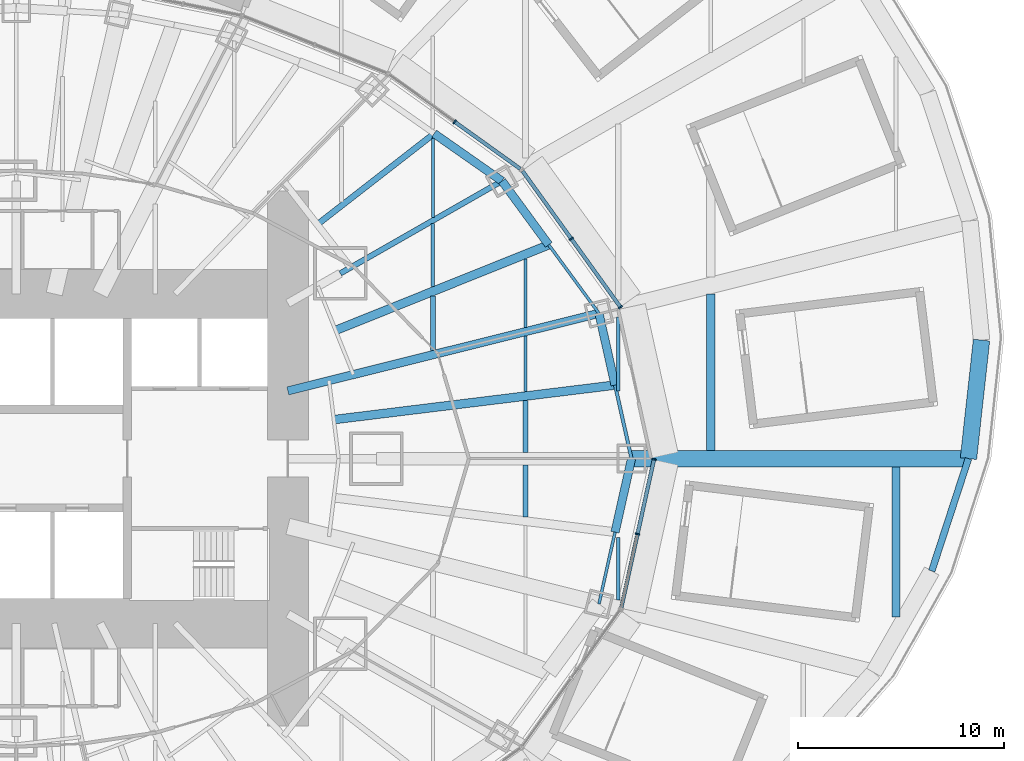
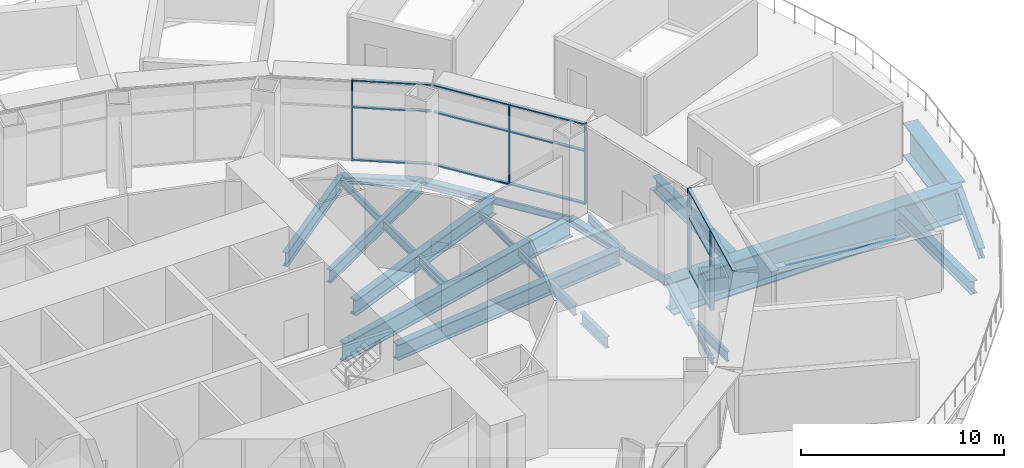
# One storey, part 11 of 25: 26 beams, 18 members, 3 elements without a shape of their own.
"""IFC4 building model written with IfcOpenShell, lengths in metres."""

from ifc_helpers import new_model, si_unit, direction, frame, origin, origin_2d, place, context, subcontext, project, spatial, rectangle, i_section, extrude, material, material_profile, profile_set, type_object, element, aggregate, save


model = new_model("IFC4")

# Units and contexts
model_context = context("Model", 3, precision=1e-05, world=origin(), true_north=direction((0.0, 1.0)))
body_context = subcontext(model_context, "Body", "Model", "MODEL_VIEW")
ifc_project = project(units=[si_unit("LENGTHUNIT", "METRE"), si_unit("AREAUNIT", "SQUARE_METRE"), si_unit("VOLUMEUNIT", "CUBIC_METRE"), si_unit("PLANEANGLEUNIT", "RADIAN"), si_unit("MASSUNIT", "GRAM", prefix="KILO")], contexts=[model_context])

# Site, building, storey
site_placement = place(None, origin())
site = spatial("IfcSite", under=ifc_project, at=site_placement, CompositionType="ELEMENT")
building_placement = place(site_placement, origin())
building = spatial("IfcBuilding", under=site, at=building_placement, Name="Lantaw Convention Tower", CompositionType="ELEMENT")
storey_placement = place(building_placement, frame((0.0, 0.0, 32.0)))
storey = spatial("IfcBuildingStorey", under=building, at=storey_placement, Name="L05", CompositionType="ELEMENT", Elevation=32.0)

# Beams
ifc_material_1 = material(Name="Steel ASTM A572 Grade 50", Category="steel")
ifc_material_profile_1 = material_profile(ifc_material_1, i_section(OverallWidth=0.800048828125, OverallDepth=2.0, WebThickness=0.030029296875, FlangeThickness=0.080078125, at=origin_2d()), Name="PG2000X800X30X80")
ifc_profile_set_1 = profile_set([ifc_material_profile_1], Name="Steel ASTM A572 Grade 50")
beam_type_1 = type_object("IfcBeamType", Name="Beam E PG2000X800X30X80", PredefinedType="SPANDREL", material=ifc_profile_set_1)
beam_1_placement = place(storey_placement, frame((46.2724609375, 0.0, -1.199951171875), z_axis=(0.109673093737, 0.993967712006, 0.0), x_axis=(-0.993967712006, 0.109673093737, 0.0)))
element("IfcBeam", 1, at=beam_1_placement, inside=storey, type_object=beam_type_1, Name="Podium edge beam R00", PredefinedType="SPANDREL", context=body_context, shape_type="SweptSolid", body=[
    extrude(i_section(OverallWidth=0.800048828125, OverallDepth=2.0, WebThickness=0.030029296875, FlangeThickness=0.080078125, at=origin_2d()), origin(), (0.0, 0.0, 1.0), 5.79443359375),
])
ifc_material_2 = material(Name="Steel ASTM A992", Category="steel")
ifc_material_profile_2 = material_profile(ifc_material_2, i_section(OverallWidth=0.40380859375, OverallDepth=0.406494140625, WebThickness=0.027099609375, FlangeThickness=0.043701171875, FilletRadius=0.01513671875, at=origin_2d()), Name="W14X233")
ifc_profile_set_2 = profile_set([ifc_material_profile_2], Name="Steel ASTM A992")
beam_type_2 = type_object("IfcBeamType", Name="Beam E W14X233", PredefinedType="SPANDREL", material=ifc_profile_set_2)
beam_2_placement = place(storey_placement, frame((29.099365234375, 3.572998046875, -0.4033203125), z_axis=(-0.218673326171, 0.97579812278, 0.0), x_axis=(-0.97579812278, -0.218673326171, 0.0)))
element("IfcBeam", 2, at=beam_2_placement, inside=storey, type_object=beam_type_2, Name="Edge beam 1", PredefinedType="SPANDREL", context=body_context, shape_type="SweptSolid", body=[
    extrude(i_section(OverallWidth=0.40380859375, OverallDepth=0.406494140625, WebThickness=0.027099609375, FlangeThickness=0.043701171875, FilletRadius=0.01513671875, at=origin_2d()), origin(), (0.0, 0.0, 1.0), 3.57373046875),
])
beam_3_placement = place(storey_placement, frame((25.8779296875, 10.388427734375, -0.4033203125), z_axis=(-0.591286566758, 0.806461527893, 0.0), x_axis=(-0.806461527893, -0.591286566758, 0.0)))
element("IfcBeam", 3, at=beam_3_placement, inside=storey, type_object=beam_type_2, Name="Edge beam 2", PredefinedType="SPANDREL", context=body_context, shape_type="SweptSolid", body=[
    extrude(i_section(OverallWidth=0.40380859375, OverallDepth=0.406494140625, WebThickness=0.027099609375, FlangeThickness=0.043701171875, FilletRadius=0.01513671875, at=origin_2d()), origin(), (0.0, 0.0, 1.0), 3.843994140625),
])
beam_4_placement = place(storey_placement, frame((23.60498046875, 13.488525390625, -0.4033203125), z_axis=(-0.819442856133, 0.573160889744, 0.0), x_axis=(-0.573160889744, -0.819442856133, 0.0)))
element("IfcBeam", 4, at=beam_4_placement, inside=storey, type_object=beam_type_2, Name="Edge beam 3", PredefinedType="SPANDREL", context=body_context, shape_type="SweptSolid", body=[
    extrude(i_section(OverallWidth=0.40380859375, OverallDepth=0.406494140625, WebThickness=0.027099609375, FlangeThickness=0.043701171875, FilletRadius=0.01513671875, at=origin_2d()), origin(), (0.0, 0.0, 1.0), 4.022705078125),
])
beam_5_placement = place(storey_placement, frame((29.099365234375, -3.572998046875, -0.4033203125), z_axis=(0.218631550323, 0.975807483679, 0.0), x_axis=(-0.975807483679, 0.218631550323, 0.0)))
element("IfcBeam", 5, at=beam_5_placement, inside=storey, type_object=beam_type_2, Name="Edge beam 24", PredefinedType="SPANDREL", context=body_context, shape_type="SweptSolid", body=[
    extrude(i_section(OverallWidth=0.40380859375, OverallDepth=0.406494140625, WebThickness=0.027099609375, FlangeThickness=0.043701171875, FilletRadius=0.01513671875, at=origin_2d()), origin(), (0.0, 0.0, 1.0), 3.66162109375),
])
ifc_material_profile_3 = material_profile(ifc_material_2, i_section(OverallWidth=0.140380859375, OverallDepth=0.40380859375, WebThickness=0.007080078125, FlangeThickness=0.01123046875, FilletRadius=0.01025390625, at=origin_2d()), Name="W16X31")
ifc_profile_set_3 = profile_set([ifc_material_profile_3], Name="Steel ASTM A992")
beam_type_3 = type_object("IfcBeamType", Name="Beam E W16X31", PredefinedType="SPANDREL", material=ifc_profile_set_3)
beam_6_placement = place(storey_placement, frame((28.31787109375, 7.060302734375, -0.40185546875), z_axis=(-0.591255937291, 0.806483984105, 0.0), x_axis=(-0.806483984105, -0.591255937291, 0.0)))
element("IfcBeam", 6, at=beam_6_placement, inside=storey, type_object=beam_type_3, Name="Edge beam 2", PredefinedType="SPANDREL", context=body_context, shape_type="SweptSolid", body=[
    extrude(i_section(OverallWidth=0.140380859375, OverallDepth=0.40380859375, WebThickness=0.007080078125, FlangeThickness=0.01123046875, FilletRadius=0.01025390625, at=origin_2d()), origin(), (0.0, 0.0, 1.0), 4.126708984375),
])
beam_7_placement = place(storey_placement, frame((28.31787109375, -7.060302734375, -0.40185546875), z_axis=(0.218673326171, 0.97579812278, 0.0), x_axis=(-0.97579812278, 0.218673326171, 0.0)))
element("IfcBeam", 7, at=beam_7_placement, inside=storey, type_object=beam_type_3, Name="Edge beam 24", PredefinedType="SPANDREL", context=body_context, shape_type="SweptSolid", body=[
    extrude(i_section(OverallWidth=0.140380859375, OverallDepth=0.40380859375, WebThickness=0.007080078125, FlangeThickness=0.01123046875, FilletRadius=0.01025390625, at=origin_2d()), origin(), (0.0, 0.0, 1.0), 3.57373046875),
])
ifc_material_profile_4 = material_profile(ifc_material_2, i_section(OverallWidth=0.165771484375, OverallDepth=0.5283203125, WebThickness=0.009765625, FlangeThickness=0.013671875, FilletRadius=0.012939453125, at=origin_2d()), Name="W21X50")
ifc_profile_set_4 = profile_set([ifc_material_profile_4], Name="Steel ASTM A992")
beam_type_4 = type_object("IfcBeamType", Name="Beam E W21X50", PredefinedType="SPANDREL", material=ifc_profile_set_4)
beam_8_placement = place(storey_placement, frame((29.89990234375, 0.0, -0.464111328125), z_axis=(-0.218631550323, 0.975807483679, 0.0), x_axis=(-0.975807483679, -0.218631550323, 0.0)))
element("IfcBeam", 8, at=beam_8_placement, inside=storey, type_object=beam_type_4, Name="Edge beam 1", PredefinedType="SPANDREL", context=body_context, shape_type="SweptSolid", body=[
    extrude(i_section(OverallWidth=0.165771484375, OverallDepth=0.5283203125, WebThickness=0.009765625, FlangeThickness=0.013671875, FilletRadius=0.012939453125, at=origin_2d()), origin(), (0.0, 0.0, 1.0), 3.66162109375),
])
ifc_material_profile_5 = material_profile(ifc_material_2, i_section(OverallWidth=0.3251953125, OverallDepth=0.612060546875, WebThickness=0.0126953125, FlangeThickness=0.01904296875, FilletRadius=0.0126953125, at=origin_2d()), Name="W24X104")
ifc_profile_set_5 = profile_set([ifc_material_profile_5], Name="Steel ASTM A992")
beam_type_5 = type_object("IfcBeamType", Name="Beam E W24X104", PredefinedType="SPANDREL", material=ifc_profile_set_5)
beam_9_placement = place(storey_placement, frame((44.488525390625, -5.46240234375, -0.506103515625), z_axis=(0.310448009473, 0.950590360468, 0.0), x_axis=(-0.950590360468, 0.310448009473, 0.0)))
element("IfcBeam", 9, at=beam_9_placement, inside=storey, type_object=beam_type_5, Name="Podium edge beam B23", PredefinedType="SPANDREL", context=body_context, shape_type="SweptSolid", body=[
    extrude(i_section(OverallWidth=0.3251953125, OverallDepth=0.612060546875, WebThickness=0.0126953125, FlangeThickness=0.01904296875, FilletRadius=0.0126953125, at=origin_2d()), origin(), (0.0, 0.0, 1.0), 5.746337890625),
])
ifc_material_profile_6 = material_profile(ifc_material_2, i_section(OverallWidth=0.2666015625, OverallDepth=0.76953125, WebThickness=0.015625, FlangeThickness=0.025390625, FilletRadius=0.0126953125, at=origin_2d()), Name="W30X132")
ifc_profile_set_6 = profile_set([ifc_material_profile_6], Name="Steel ASTM A992")
beam_type_6 = type_object("IfcBeamType", Name="Beam G W30X132", PredefinedType="BEAM", material=ifc_profile_set_6)
beam_10_placement = place(storey_placement, frame((15.75, 9.0, -0.584716796875), z_axis=(0.868244802791, 0.496136032179, 0.0), x_axis=(-0.496136032179, 0.868244802791, 0.0)))
element("IfcBeam", 10, at=beam_10_placement, inside=storey, type_object=beam_type_6, Name="Floor girder on ray 3", PredefinedType="BEAM", context=body_context, shape_type="SweptSolid", body=[
    extrude(i_section(OverallWidth=0.2666015625, OverallDepth=0.76953125, WebThickness=0.015625, FlangeThickness=0.025390625, FilletRadius=0.0126953125, at=origin_2d()), origin(), (0.0, 0.0, 1.0), 9.046875),
])
ifc_material_profile_7 = material_profile(ifc_material_2, i_section(OverallWidth=0.2919921875, OverallDepth=0.845703125, WebThickness=0.015380859375, FlangeThickness=0.0244140625, FilletRadius=0.01513671875, at=origin_2d()), Name="W33X141")
ifc_profile_set_7 = profile_set([ifc_material_profile_7], Name="Steel ASTM A992")
beam_type_7 = type_object("IfcBeamType", Name="Beam G W33X141", PredefinedType="BEAM", material=ifc_profile_set_7)
beam_11_placement = place(storey_placement, frame((14.628173828125, 11.37646484375, -0.622802734375), z_axis=(0.789377792374, 0.613907729961, 0.0), x_axis=(-0.613907729961, 0.789377792374, 0.0)))
element("IfcBeam", 11, at=beam_11_placement, inside=storey, type_object=beam_type_7, Name="Floor girder on bisector 3", PredefinedType="BEAM", context=body_context, shape_type="SweptSolid", body=[
    extrude(i_section(OverallWidth=0.2919921875, OverallDepth=0.845703125, WebThickness=0.015380859375, FlangeThickness=0.0244140625, FilletRadius=0.01513671875, at=origin_2d()), origin(), (0.0, 0.0, 1.0), 7.196044921875),
])
ifc_material_profile_8 = material_profile(ifc_material_2, i_section(OverallWidth=0.421630859375, OverallDepth=0.937255859375, WebThickness=0.0224609375, FlangeThickness=0.039794921875, FilletRadius=0.02001953125, at=origin_2d()), Name="W36X282")
ifc_profile_set_8 = profile_set([ifc_material_profile_8], Name="Steel ASTM A992")
beam_type_8 = type_object("IfcBeamType", Name="Beam G W36X282", PredefinedType="BEAM", material=ifc_profile_set_8)
beam_12_placement = place(storey_placement, frame((15.433349609375, 1.89501953125, -0.668701171875), z_axis=(0.99254612715, 0.121869542874, 0.0), x_axis=(-0.121869542874, 0.99254612715, 0.0)))
element("IfcBeam", 12, at=beam_12_placement, inside=storey, type_object=beam_type_8, Name="Floor girder on bisector 1", PredefinedType="BEAM", context=body_context, shape_type="SweptSolid", body=[
    extrude(i_section(OverallWidth=0.421630859375, OverallDepth=0.937255859375, WebThickness=0.0224609375, FlangeThickness=0.039794921875, FilletRadius=0.02001953125, at=origin_2d()), origin(), (0.0, 0.0, 1.0), 13.7685546875),
])
beam_13_placement = place(storey_placement, frame((15.52001953125, 6.23046875, -0.668701171875), z_axis=(0.928018900171, 0.372533113864, 0.0), x_axis=(-0.372533113864, 0.928018900171, 0.0)))
element("IfcBeam", 13, at=beam_13_placement, inside=storey, type_object=beam_type_8, Name="Floor girder on bisector 2", PredefinedType="BEAM", context=body_context, shape_type="SweptSolid", body=[
    extrude(i_section(OverallWidth=0.421630859375, OverallDepth=0.937255859375, WebThickness=0.0224609375, FlangeThickness=0.039794921875, FilletRadius=0.02001953125, at=origin_2d()), origin(), (0.0, 0.0, 1.0), 11.161376953125),
])
ifc_material_profile_9 = material_profile(ifc_material_2, i_section(OverallWidth=0.40380859375, OverallDepth=1.11767578125, WebThickness=0.026123046875, FlangeThickness=0.044921875, FilletRadius=0.02001953125, at=origin_2d()), Name="W44X335")
ifc_profile_set_9 = profile_set([ifc_material_profile_9], Name="Steel ASTM A992")
beam_type_9 = type_object("IfcBeamType", Name="Beam G W44X335", PredefinedType="BEAM", material=ifc_profile_set_9)
beam_14_placement = place(storey_placement, frame((13.199951171875, 3.291015625, -0.7587890625), z_axis=(0.970296233567, 0.241919860957, 0.0), x_axis=(-0.241919860957, 0.970296233567, 0.0)))
element("IfcBeam", 14, at=beam_14_placement, inside=storey, type_object=beam_type_9, Name="Floor girder on ray 2", PredefinedType="BEAM", context=body_context, shape_type="SweptSolid", body=[
    extrude(i_section(OverallWidth=0.40380859375, OverallDepth=1.11767578125, WebThickness=0.026123046875, FlangeThickness=0.044921875, FilletRadius=0.02001953125, at=origin_2d()), origin(), (0.0, 0.0, 1.0), 15.580810546875),
])
ifc_material_profile_10 = material_profile(ifc_material_2, i_section(OverallWidth=0.140380859375, OverallDepth=0.40380859375, WebThickness=0.007080078125, FlangeThickness=0.01123046875, FilletRadius=0.01025390625, at=origin_2d()), Name="W16X31")
ifc_profile_set_10 = profile_set([ifc_material_profile_10], Name="Steel ASTM A992")
beam_type_10 = type_object("IfcBeamType", Name="Beam J W16X31", PredefinedType="JOIST", material=ifc_profile_set_10)
beam_15_placement = place(storey_placement, frame((24.75, 6.37890625, -0.40185546875), z_axis=(0.0, 1.0, 0.0), x_axis=(-1.0, 0.0, 0.0)))
element("IfcBeam", 15, at=beam_15_placement, inside=storey, type_object=beam_type_10, Name="Floor joist", PredefinedType="JOIST", context=body_context, shape_type="SweptSolid", body=[
    extrude(i_section(OverallWidth=0.140380859375, OverallDepth=0.40380859375, WebThickness=0.007080078125, FlangeThickness=0.01123046875, FilletRadius=0.01025390625, at=origin_2d()), origin(), (0.0, 0.0, 1.0), 3.32958984375),
])
ifc_material_profile_11 = material_profile(ifc_material_2, i_section(OverallWidth=0.15234375, OverallDepth=0.449462890625, WebThickness=0.007568359375, FlangeThickness=0.0107421875, FilletRadius=0.01025390625, at=origin_2d()), Name="W18X35")
ifc_profile_set_11 = profile_set([ifc_material_profile_11], Name="Steel ASTM A992")
beam_type_11 = type_object("IfcBeamType", Name="Beam J W18X35", PredefinedType="JOIST", material=ifc_profile_set_11)
beam_16_placement = place(storey_placement, frame((20.25, 11.72509765625, -0.4248046875), z_axis=(0.0, 1.0, 0.0), x_axis=(-1.0, 0.0, 0.0)))
element("IfcBeam", 16, at=beam_16_placement, inside=storey, type_object=beam_type_11, Name="Floor joist", PredefinedType="JOIST", context=body_context, shape_type="SweptSolid", body=[
    extrude(i_section(OverallWidth=0.15234375, OverallDepth=0.449462890625, WebThickness=0.007568359375, FlangeThickness=0.0107421875, FilletRadius=0.01025390625, at=origin_2d()), origin(), (0.0, 0.0, 1.0), 3.83837890625),
])
beam_17_placement = place(storey_placement, frame((24.75, 3.251220703125, -0.4248046875), z_axis=(0.0, 1.0, 0.0), x_axis=(-1.0, 0.0, 0.0)))
element("IfcBeam", 17, at=beam_17_placement, inside=storey, type_object=beam_type_11, Name="Floor joist", PredefinedType="JOIST", context=body_context, shape_type="SweptSolid", body=[
    extrude(i_section(OverallWidth=0.15234375, OverallDepth=0.449462890625, WebThickness=0.007568359375, FlangeThickness=0.0107421875, FilletRadius=0.01025390625, at=origin_2d()), origin(), (0.0, 0.0, 1.0), 2.71142578125),
])
ifc_material_profile_12 = material_profile(ifc_material_2, i_section(OverallWidth=0.1650390625, OverallDepth=0.52587890625, WebThickness=0.0087890625, FlangeThickness=0.011474609375, FilletRadius=0.0126953125, at=origin_2d()), Name="W21X44")
ifc_profile_set_12 = profile_set([ifc_material_profile_12], Name="Steel ASTM A992")
beam_type_12 = type_object("IfcBeamType", Name="Beam J W21X44", PredefinedType="JOIST", material=ifc_profile_set_12)
beam_18_placement = place(storey_placement, frame((20.25, 8.3564453125, -0.462890625), z_axis=(0.0, 1.0, 0.0), x_axis=(-1.0, 0.0, 0.0)))
element("IfcBeam", 18, at=beam_18_placement, inside=storey, type_object=beam_type_12, Name="Floor joist", PredefinedType="JOIST", context=body_context, shape_type="SweptSolid", body=[
    extrude(i_section(OverallWidth=0.1650390625, OverallDepth=0.52587890625, WebThickness=0.0087890625, FlangeThickness=0.011474609375, FilletRadius=0.0126953125, at=origin_2d()), origin(), (0.0, 0.0, 1.0), 3.0615234375),
])
beam_19_placement = place(storey_placement, frame((29.25, 3.27978515625, -0.462890625), z_axis=(0.0, 1.0, 0.0), x_axis=(-1.0, 0.0, 0.0)))
element("IfcBeam", 19, at=beam_19_placement, inside=storey, type_object=beam_type_12, Name="Floor joist", PredefinedType="JOIST", context=body_context, shape_type="SweptSolid", body=[
    extrude(i_section(OverallWidth=0.1650390625, OverallDepth=0.52587890625, WebThickness=0.0087890625, FlangeThickness=0.011474609375, FilletRadius=0.0126953125, at=origin_2d()), origin(), (0.0, 0.0, 1.0), 3.600830078125),
])
ifc_material_profile_13 = material_profile(ifc_material_2, i_section(OverallWidth=0.177978515625, OverallDepth=0.599365234375, WebThickness=0.010009765625, FlangeThickness=0.012939453125, FilletRadius=0.012939453125, at=origin_2d()), Name="W24X55")
ifc_profile_set_13 = profile_set([ifc_material_profile_13], Name="Steel ASTM A992")
beam_type_13 = type_object("IfcBeamType", Name="Beam J W24X55", PredefinedType="JOIST", material=ifc_profile_set_13)
beam_20_placement = place(storey_placement, frame((29.25, -6.880615234375, -0.499755859375), z_axis=(0.0, 1.0, 0.0), x_axis=(-1.0, 0.0, 0.0)))
element("IfcBeam", 20, at=beam_20_placement, inside=storey, type_object=beam_type_13, Name="Floor joist", PredefinedType="JOIST", context=body_context, shape_type="SweptSolid", body=[
    extrude(i_section(OverallWidth=0.177978515625, OverallDepth=0.599365234375, WebThickness=0.010009765625, FlangeThickness=0.012939453125, FilletRadius=0.012939453125, at=origin_2d()), origin(), (0.0, 0.0, 1.0), 3.056640625),
])
ifc_material_profile_14 = material_profile(ifc_material_2, i_section(OverallWidth=0.227783203125, OverallDepth=0.60205078125, WebThickness=0.010498046875, FlangeThickness=0.014892578125, FilletRadius=0.012939453125, at=origin_2d()), Name="W24X68")
ifc_profile_set_14 = profile_set([ifc_material_profile_14], Name="Steel ASTM A992")
beam_type_14 = type_object("IfcBeamType", Name="Beam J W24X68", PredefinedType="JOIST", material=ifc_profile_set_14)
beam_21_placement = place(storey_placement, frame((20.25, 5.257080078125, -0.5009765625), z_axis=(0.0, 1.0, 0.0), x_axis=(-1.0, 0.0, 0.0)))
element("IfcBeam", 21, at=beam_21_placement, inside=storey, type_object=beam_type_14, Name="Floor joist", PredefinedType="JOIST", context=body_context, shape_type="SweptSolid", body=[
    extrude(i_section(OverallWidth=0.227783203125, OverallDepth=0.60205078125, WebThickness=0.010498046875, FlangeThickness=0.014892578125, FilletRadius=0.012939453125, at=origin_2d()), origin(), (0.0, 0.0, 1.0), 2.64501953125),
])
ifc_material_profile_15 = material_profile(ifc_material_2, i_section(OverallWidth=0.22900390625, OverallDepth=0.612060546875, WebThickness=0.011962890625, FlangeThickness=0.01953125, FilletRadius=0.0126953125, at=origin_2d()), Name="W24X84")
ifc_profile_set_15 = profile_set([ifc_material_profile_15], Name="Steel ASTM A992")
beam_type_15 = type_object("IfcBeamType", Name="Beam J W24X84", PredefinedType="JOIST", material=ifc_profile_set_15)
beam_22_placement = place(storey_placement, frame((24.75, 0.300048828125, -0.506103515625), z_axis=(0.0, 1.0, 0.0), x_axis=(-1.0, 0.0, 0.0)))
element("IfcBeam", 22, at=beam_22_placement, inside=storey, type_object=beam_type_15, Name="Floor joist", PredefinedType="JOIST", context=body_context, shape_type="SweptSolid", body=[
    extrude(i_section(OverallWidth=0.22900390625, OverallDepth=0.612060546875, WebThickness=0.011962890625, FlangeThickness=0.01953125, FilletRadius=0.0126953125, at=origin_2d()), origin(), (0.0, 0.0, 1.0), 2.5263671875),
])
ifc_material_profile_16 = material_profile(ifc_material_2, i_section(OverallWidth=0.25390625, OverallDepth=0.683349609375, WebThickness=0.012451171875, FlangeThickness=0.01904296875, FilletRadius=0.01513671875, at=origin_2d()), Name="W27X94")
ifc_profile_set_16 = profile_set([ifc_material_profile_16], Name="Steel ASTM A992")
beam_type_16 = type_object("IfcBeamType", Name="Beam J W27X94", PredefinedType="JOIST", material=ifc_profile_set_16)
beam_23_placement = place(storey_placement, frame((24.75, -2.8251953125, -0.541748046875), z_axis=(0.0, 1.0, 0.0), x_axis=(-1.0, 0.0, 0.0)))
element("IfcBeam", 23, at=beam_23_placement, inside=storey, type_object=beam_type_16, Name="Floor joist", PredefinedType="JOIST", context=body_context, shape_type="SweptSolid", body=[
    extrude(i_section(OverallWidth=0.25390625, OverallDepth=0.683349609375, WebThickness=0.012451171875, FlangeThickness=0.01904296875, FilletRadius=0.01513671875, at=origin_2d()), origin(), (0.0, 0.0, 1.0), 2.525146484375),
])
ifc_material_profile_17 = material_profile(ifc_material_2, i_section(OverallWidth=0.381103515625, OverallDepth=0.772216796875, WebThickness=0.0166015625, FlangeThickness=0.027099609375, FilletRadius=0.0146484375, at=origin_2d()), Name="W30X173")
ifc_profile_set_17 = profile_set([ifc_material_profile_17], Name="Steel ASTM A992")
beam_type_17 = type_object("IfcBeamType", Name="Beam J W30X173", PredefinedType="JOIST", material=ifc_profile_set_17)
beam_24_placement = place(storey_placement, frame((42.75, -7.698486328125, -0.586181640625), z_axis=(0.0, 1.0, 0.0), x_axis=(-1.0, 0.0, 0.0)))
element("IfcBeam", 24, at=beam_24_placement, inside=storey, type_object=beam_type_17, Name="Floor joist", PredefinedType="JOIST", context=body_context, shape_type="SweptSolid", body=[
    extrude(i_section(OverallWidth=0.381103515625, OverallDepth=0.772216796875, WebThickness=0.0166015625, FlangeThickness=0.027099609375, FilletRadius=0.0146484375, at=origin_2d()), origin(), (0.0, 0.0, 1.0), 7.298583984375),
])
ifc_material_profile_18 = material_profile(ifc_material_2, i_section(OverallWidth=0.398681640625, OverallDepth=0.85595703125, WebThickness=0.01806640625, FlangeThickness=0.029296875, FilletRadius=0.016357421875, at=origin_2d()), Name="W33X201")
ifc_profile_set_18 = profile_set([ifc_material_profile_18], Name="Steel ASTM A992")
beam_type_18 = type_object("IfcBeamType", Name="Beam J W33X201", PredefinedType="JOIST", material=ifc_profile_set_18)
beam_25_placement = place(storey_placement, frame((33.75, 0.39990234375, -0.6279296875), z_axis=(0.0, 1.0, 0.0), x_axis=(-1.0, 0.0, 0.0)))
element("IfcBeam", 25, at=beam_25_placement, inside=storey, type_object=beam_type_18, Name="Floor joist", PredefinedType="JOIST", context=body_context, shape_type="SweptSolid", body=[
    extrude(i_section(OverallWidth=0.398681640625, OverallDepth=0.85595703125, WebThickness=0.01806640625, FlangeThickness=0.029296875, FilletRadius=0.016357421875, at=origin_2d()), origin(), (0.0, 0.0, 1.0), 7.602783203125),
])
ifc_material_profile_19 = material_profile(ifc_material_1, i_section(OverallWidth=0.800048828125, OverallDepth=2.0, WebThickness=0.030029296875, FlangeThickness=0.080078125, at=origin_2d()), Name="PG2000X800X30X80")
ifc_profile_set_19 = profile_set([ifc_material_profile_19], Name="Steel ASTM A572 Grade 50")
beam_type_19 = type_object("IfcBeamType", Name="Beam PG PG2000X800X30X80", PredefinedType="BEAM", material=ifc_profile_set_19)
beam_26_placement = place(storey_placement, frame((29.89990234375, 0.0, -1.199951171875), z_axis=(1.0, 0.0, 0.0), x_axis=(0.0, 1.0, 0.0)))
element("IfcBeam", 26, at=beam_26_placement, inside=storey, type_object=beam_type_19, Name="Podium girder PR01", PredefinedType="BEAM", context=body_context, shape_type="SweptSolid", body=[
    extrude(i_section(OverallWidth=0.800048828125, OverallDepth=2.0, WebThickness=0.030029296875, FlangeThickness=0.080078125, at=origin_2d()), origin(), (0.0, 0.0, 1.0), 16.37255859375),
])

# Curtain wall, members
ifc_material_3 = material(Name="Aluminium framed curtain wall", Category="aluminium")
curtain_wall_type = type_object("IfcCurtainWallType", Name="Sky lobby curtain wall L05, pale aluminium", PredefinedType="USERDEFINED", material=ifc_material_3)
curtain_wall_1_placement = place(storey_placement, origin())
curtain_wall_1 = element("IfcCurtainWall", 27, at=curtain_wall_1_placement, inside=storey, type_object=curtain_wall_type, Name="Sky lobby curtain wall L05, pale aluminium L05", ObjectType="STICK CURTAIN WALL", PredefinedType="USERDEFINED")
ifc_material_4 = material(Name="Aluminium 6063-T6", Category="aluminium")
ifc_material_profile_20 = material_profile(ifc_material_4, rectangle(XDim=0.22509765625, YDim=0.074951171875, at=origin_2d()), Name="CW-HL mullion 75x225")
ifc_profile_set_20 = profile_set([ifc_material_profile_20], Name="Aluminium 6063-T6")
member_type_1 = type_object("IfcMemberType", Name="CW-HL mullion 75x225", PredefinedType="MULLION", material=ifc_profile_set_20)
member_1_placement = place(storey_placement, frame((29.36328125, 7.35693359375, 0.0), z_axis=(0.0, 0.0, 1.0), x_axis=(-0.811788726895, -0.583951250436, 0.0)))
member_1 = element("IfcMember", 28, at=member_1_placement, type_object=member_type_1, Name="CW-HL mullion 1", PredefinedType="MULLION", context=body_context, shape_type="SweptSolid", body=[
    extrude(rectangle(XDim=0.22509765625, YDim=0.074951171875, at=origin_2d()), origin(), (0.0, 0.0, 1.0), 4.85009765625),
])
member_2_placement = place(storey_placement, frame((26.97265625, 10.680419921875, 0.0), z_axis=(0.0, 0.0, 1.0), x_axis=(-0.811788726895, -0.583951250436, 0.0)))
member_2 = element("IfcMember", 29, at=member_2_placement, type_object=member_type_1, Name="CW-HL mullion 2", PredefinedType="MULLION", context=body_context, shape_type="SweptSolid", body=[
    extrude(rectangle(XDim=0.22509765625, YDim=0.074951171875, at=origin_2d()), origin(), (0.0, 0.0, 1.0), 4.85009765625),
])

# Curtain wall, member
curtain_wall_2_placement = place(storey_placement, origin())
curtain_wall_2 = element("IfcCurtainWall", 30, at=curtain_wall_2_placement, inside=storey, type_object=curtain_wall_type, Name="Sky lobby curtain wall L05, pale aluminium L05", ObjectType="STICK CURTAIN WALL", PredefinedType="USERDEFINED")
member_3_placement = place(storey_placement, frame((21.307373046875, 16.365478515625, 0.0), z_axis=(0.0, 0.0, 1.0), x_axis=(-0.5825376308, -0.812803733199, 0.0)))
member_3 = element("IfcMember", 31, at=member_3_placement, type_object=member_type_1, Name="CW-HL mullion 2", PredefinedType="MULLION", context=body_context, shape_type="SweptSolid", body=[
    extrude(rectangle(XDim=0.22509765625, YDim=0.074951171875, at=origin_2d()), origin(), (0.0, 0.0, 1.0), 4.85009765625),
])

# Curtain wall, members
curtain_wall_3_placement = place(storey_placement, origin())
curtain_wall_3 = element("IfcCurtainWall", 32, at=curtain_wall_3_placement, inside=storey, type_object=curtain_wall_type, Name="Sky lobby curtain wall L05, pale aluminium L05", ObjectType="STICK CURTAIN WALL", PredefinedType="USERDEFINED")
member_4_placement = place(storey_placement, frame((30.192626953125, -3.663330078125, 0.0), z_axis=(0.0, 0.0, 1.0), x_axis=(-0.976559847223, 0.215246056391, 0.0)))
member_4 = element("IfcMember", 33, at=member_4_placement, type_object=member_type_1, Name="CW-HL mullion 2", PredefinedType="MULLION", context=body_context, shape_type="SweptSolid", body=[
    extrude(rectangle(XDim=0.22509765625, YDim=0.074951171875, at=origin_2d()), origin(), (0.0, 0.0, 1.0), 4.85009765625),
])
member_5_placement = place(storey_placement, frame((30.991943359375, -0.03662109375, 0.0), z_axis=(0.0, 0.0, 1.0), x_axis=(-0.976559847223, 0.215246056391, 0.0)))
member_5 = element("IfcMember", 34, at=member_5_placement, type_object=member_type_1, Name="CW-HL mullion 3", PredefinedType="MULLION", context=body_context, shape_type="SweptSolid", body=[
    extrude(rectangle(XDim=0.22509765625, YDim=0.074951171875, at=origin_2d()), origin(), (0.0, 0.0, 1.0), 4.85009765625),
])

# Member
ifc_material_profile_21 = material_profile(ifc_material_4, rectangle(XDim=0.179931640625, YDim=0.074951171875, at=origin_2d()), Name="CW-HL transom 75x180")
ifc_profile_set_21 = profile_set([ifc_material_profile_21], Name="Aluminium 6063-T6")
member_type_2 = type_object("IfcMemberType", Name="CW-HL transom 75x180", PredefinedType="USERDEFINED", material=ifc_profile_set_21)
member_6_placement = place(storey_placement, frame((29.34130859375, 7.387451171875, 0.03759765625), z_axis=(-0.58397021033, 0.811775087969, 0.0), x_axis=(-0.811775087969, -0.58397021033, 0.0)))
member_6 = element("IfcMember", 35, at=member_6_placement, type_object=member_type_2, Name="CW-HL transom 1.1", ObjectType="TRANSOM", PredefinedType="USERDEFINED", context=body_context, shape_type="SweptSolid", body=[
    extrude(rectangle(XDim=0.179931640625, YDim=0.074951171875, at=origin_2d()), origin(), (0.0, 0.0, 1.0), 4.018798828125),
])

member_7_placement = place(storey_placement, frame((29.34130859375, 7.387451171875, 3.199951171875), z_axis=(-0.58397021033, 0.811775087969, 0.0), x_axis=(-0.811775087969, -0.58397021033, 0.0)))
member_7 = element("IfcMember", 36, at=member_7_placement, type_object=member_type_2, Name="CW-HL transom 1.2", ObjectType="TRANSOM", PredefinedType="USERDEFINED", context=body_context, shape_type="SweptSolid", body=[
    extrude(rectangle(XDim=0.179931640625, YDim=0.074951171875, at=origin_2d()), origin(), (0.0, 0.0, 1.0), 4.018798828125),
])

member_8_placement = place(storey_placement, frame((29.34130859375, 7.387451171875, 4.8125), z_axis=(-0.58397021033, 0.811775087969, 0.0), x_axis=(-0.811775087969, -0.58397021033, 0.0)))
member_8 = element("IfcMember", 37, at=member_8_placement, type_object=member_type_2, Name="CW-HL transom 1.3", ObjectType="TRANSOM", PredefinedType="USERDEFINED", context=body_context, shape_type="SweptSolid", body=[
    extrude(rectangle(XDim=0.179931640625, YDim=0.074951171875, at=origin_2d()), origin(), (0.0, 0.0, 1.0), 4.018798828125),
])

member_9_placement = place(storey_placement, frame((26.95068359375, 10.7109375, 0.03759765625), z_axis=(-0.58397021033, 0.811775087969, 0.0), x_axis=(-0.811775087969, -0.58397021033, 0.0)))
member_9 = element("IfcMember", 38, at=member_9_placement, type_object=member_type_2, Name="CW-HL transom 2.1", ObjectType="TRANSOM", PredefinedType="USERDEFINED", context=body_context, shape_type="SweptSolid", body=[
    extrude(rectangle(XDim=0.179931640625, YDim=0.074951171875, at=origin_2d()), origin(), (0.0, 0.0, 1.0), 4.018798828125),
])

member_10_placement = place(storey_placement, frame((26.95068359375, 10.7109375, 3.199951171875), z_axis=(-0.58397021033, 0.811775087969, 0.0), x_axis=(-0.811775087969, -0.58397021033, 0.0)))
member_10 = element("IfcMember", 39, at=member_10_placement, type_object=member_type_2, Name="CW-HL transom 2.2", ObjectType="TRANSOM", PredefinedType="USERDEFINED", context=body_context, shape_type="SweptSolid", body=[
    extrude(rectangle(XDim=0.179931640625, YDim=0.074951171875, at=origin_2d()), origin(), (0.0, 0.0, 1.0), 4.018798828125),
])

member_11_placement = place(storey_placement, frame((26.95068359375, 10.7109375, 4.8125), z_axis=(-0.58397021033, 0.811775087969, 0.0), x_axis=(-0.811775087969, -0.58397021033, 0.0)))
member_11 = element("IfcMember", 40, at=member_11_placement, type_object=member_type_2, Name="CW-HL transom 2.3", ObjectType="TRANSOM", PredefinedType="USERDEFINED", context=body_context, shape_type="SweptSolid", body=[
    extrude(rectangle(XDim=0.179931640625, YDim=0.074951171875, at=origin_2d()), origin(), (0.0, 0.0, 1.0), 4.018798828125),
])

aggregate(curtain_wall_1, [member_1, member_2, member_6, member_7, member_8, member_9, member_10, member_11])

member_12_placement = place(storey_placement, frame((24.4990234375, 14.077880859375, 0.03759765625), z_axis=(-0.812799293767, 0.582543825005, 0.0), x_axis=(-0.582543825005, -0.812799293767, 0.0)))
member_12 = element("IfcMember", 41, at=member_12_placement, type_object=member_type_2, Name="CW-HL transom 1.1", ObjectType="TRANSOM", PredefinedType="USERDEFINED", context=body_context, shape_type="SweptSolid", body=[
    extrude(rectangle(XDim=0.179931640625, YDim=0.074951171875, at=origin_2d()), origin(), (0.0, 0.0, 1.0), 3.88916015625),
])

member_13_placement = place(storey_placement, frame((24.4990234375, 14.077880859375, 3.199951171875), z_axis=(-0.812799293767, 0.582543825005, 0.0), x_axis=(-0.582543825005, -0.812799293767, 0.0)))
member_13 = element("IfcMember", 42, at=member_13_placement, type_object=member_type_2, Name="CW-HL transom 1.2", ObjectType="TRANSOM", PredefinedType="USERDEFINED", context=body_context, shape_type="SweptSolid", body=[
    extrude(rectangle(XDim=0.179931640625, YDim=0.074951171875, at=origin_2d()), origin(), (0.0, 0.0, 1.0), 3.88916015625),
])

member_14_placement = place(storey_placement, frame((24.4990234375, 14.077880859375, 4.8125), z_axis=(-0.812799293767, 0.582543825005, 0.0), x_axis=(-0.582543825005, -0.812799293767, 0.0)))
member_14 = element("IfcMember", 43, at=member_14_placement, type_object=member_type_2, Name="CW-HL transom 1.3", ObjectType="TRANSOM", PredefinedType="USERDEFINED", context=body_context, shape_type="SweptSolid", body=[
    extrude(rectangle(XDim=0.179931640625, YDim=0.074951171875, at=origin_2d()), origin(), (0.0, 0.0, 1.0), 3.88916015625),
])

aggregate(curtain_wall_2, [member_3, member_12, member_13, member_14])

member_15_placement = place(storey_placement, frame((29.4013671875, -7.25341796875, 4.8125), z_axis=(0.215239349511, 0.976561325479, 0.0), x_axis=(-0.976561325479, 0.215239349511, 0.0)))
member_15 = element("IfcMember", 44, at=member_15_placement, type_object=member_type_2, Name="CW-HL transom 1.3", ObjectType="TRANSOM", PredefinedType="USERDEFINED", context=body_context, shape_type="SweptSolid", body=[
    extrude(rectangle(XDim=0.179931640625, YDim=0.074951171875, at=origin_2d()), origin(), (0.0, 0.0, 1.0), 3.638671875),
])

member_16_placement = place(storey_placement, frame((30.20068359375, -3.626708984375, 0.03759765625), z_axis=(0.215239349511, 0.976561325479, 0.0), x_axis=(-0.976561325479, 0.215239349511, 0.0)))
member_16 = element("IfcMember", 45, at=member_16_placement, type_object=member_type_2, Name="CW-HL transom 2.1", ObjectType="TRANSOM", PredefinedType="USERDEFINED", context=body_context, shape_type="SweptSolid", body=[
    extrude(rectangle(XDim=0.179931640625, YDim=0.074951171875, at=origin_2d()), origin(), (0.0, 0.0, 1.0), 3.638671875),
])

member_17_placement = place(storey_placement, frame((30.20068359375, -3.626708984375, 3.199951171875), z_axis=(0.215239349511, 0.976561325479, 0.0), x_axis=(-0.976561325479, 0.215239349511, 0.0)))
member_17 = element("IfcMember", 46, at=member_17_placement, type_object=member_type_2, Name="CW-HL transom 2.2", ObjectType="TRANSOM", PredefinedType="USERDEFINED", context=body_context, shape_type="SweptSolid", body=[
    extrude(rectangle(XDim=0.179931640625, YDim=0.074951171875, at=origin_2d()), origin(), (0.0, 0.0, 1.0), 3.638671875),
])

member_18_placement = place(storey_placement, frame((30.20068359375, -3.626708984375, 4.8125), z_axis=(0.215239349511, 0.976561325479, 0.0), x_axis=(-0.976561325479, 0.215239349511, 0.0)))
member_18 = element("IfcMember", 47, at=member_18_placement, type_object=member_type_2, Name="CW-HL transom 2.3", ObjectType="TRANSOM", PredefinedType="USERDEFINED", context=body_context, shape_type="SweptSolid", body=[
    extrude(rectangle(XDim=0.179931640625, YDim=0.074951171875, at=origin_2d()), origin(), (0.0, 0.0, 1.0), 3.638671875),
])

aggregate(curtain_wall_3, [member_4, member_5, member_15, member_16, member_17, member_18])

save(model, "model.ifc")
